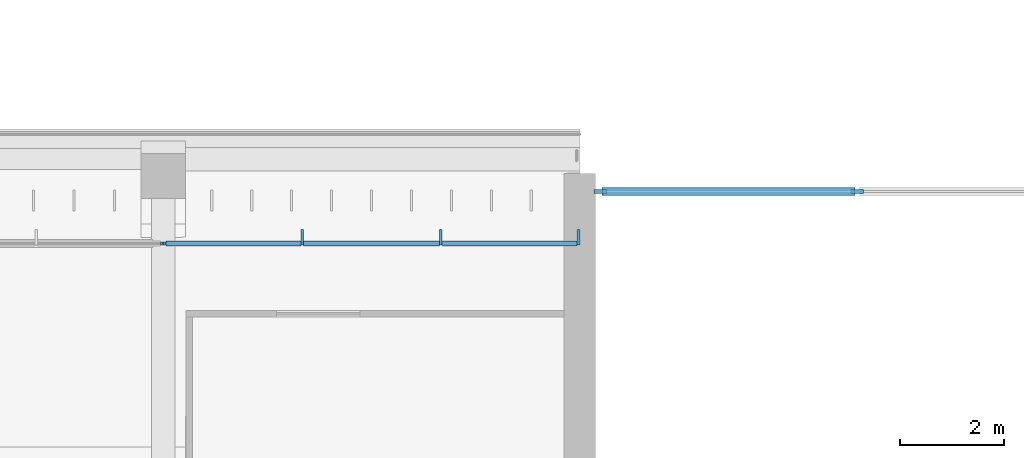
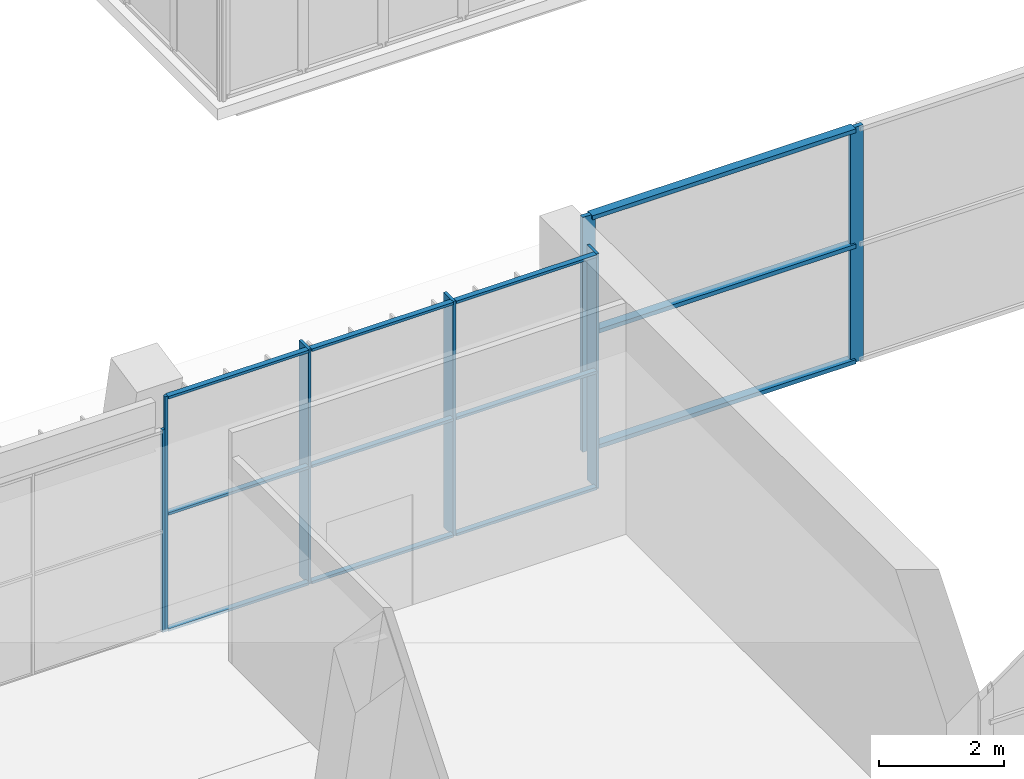
# One storey, part 11 of 92: 19 members, 3 elements without a shape of their own.
"""IFC4 building model written with IfcOpenShell, lengths in metres."""

from ifc_helpers import new_model, si_unit, direction, frame, origin, origin_2d, place, context, subcontext, project, spatial, rectangle, extrude, material, material_profile, profile_set, type_object, element, aggregate, save


model = new_model("IFC4")

# Units and contexts
model_context = context("Model", 3, precision=1e-05, world=origin(), true_north=direction((0.0, 1.0)))
body_context = subcontext(model_context, "Body", "Model", "MODEL_VIEW")
ifc_project = project(units=[si_unit("LENGTHUNIT", "METRE"), si_unit("AREAUNIT", "SQUARE_METRE"), si_unit("VOLUMEUNIT", "CUBIC_METRE"), si_unit("PLANEANGLEUNIT", "RADIAN"), si_unit("MASSUNIT", "GRAM", prefix="KILO")], contexts=[model_context])

# Site, building, storey
site_placement = place(None, origin())
site = spatial("IfcSite", under=ifc_project, at=site_placement, CompositionType="ELEMENT")
building_placement = place(site_placement, origin())
building = spatial("IfcBuilding", under=site, at=building_placement, Name="Lantern Court Media Centre", CompositionType="ELEMENT")
storey_placement = place(building_placement, frame((0.0, 0.0, 4.800048828125)))
storey = spatial("IfcBuildingStorey", under=building, at=storey_placement, Name="L01", CompositionType="ELEMENT", Elevation=4.800048828125)

# Curtain wall, members
ifc_material_1 = material(Name="Curtain wall bay 2400")
curtain_wall_type_1 = type_object("IfcCurtainWallType", Name="Curtain wall bay 2400", PredefinedType="NOTDEFINED", material=ifc_material_1)
curtain_wall_1_placement = place(storey_placement, origin())
curtain_wall_1 = element("IfcCurtainWall", 1, at=curtain_wall_1_placement, inside=storey, type_object=curtain_wall_type_1, Name="Curtain wall S inner L01", PredefinedType="NOTDEFINED")
ifc_material_2 = material(Name="Anodised aluminium", Category="aluminium")
ifc_material_profile_1 = material_profile(ifc_material_2, rectangle(XDim=0.300048828125, YDim=0.050048828125, at=origin_2d()), Name="AL 50x300")
ifc_profile_set_1 = profile_set([ifc_material_profile_1], Name="Anodised aluminium")
member_type_1 = type_object("IfcMemberType", Name="Curtain wall mullion 50x300", PredefinedType="MULLION", material=ifc_profile_set_1)
member_1_placement = place(storey_placement, frame((34.666748046875, 60.969970703125, 0.0), z_axis=(0.0, 0.0, 1.0), x_axis=(0.0, 1.0, 0.0)))
member_1 = element("IfcMember", 2, at=member_1_placement, type_object=member_type_1, Name="CW2 mullion 2", PredefinedType="MULLION", context=body_context, shape_type="SweptSolid", body=[
    extrude(rectangle(XDim=0.300048828125, YDim=0.050048828125, at=origin_2d()), origin(), (0.0, 0.0, 1.0), 4.579833984375),
])
member_2_placement = place(storey_placement, frame((37.333251953125, 60.969970703125, 0.0), z_axis=(0.0, 0.0, 1.0), x_axis=(0.0, 1.0, 0.0)))
member_2 = element("IfcMember", 3, at=member_2_placement, type_object=member_type_1, Name="CW2 mullion 3", PredefinedType="MULLION", context=body_context, shape_type="SweptSolid", body=[
    extrude(rectangle(XDim=0.300048828125, YDim=0.050048828125, at=origin_2d()), origin(), (0.0, 0.0, 1.0), 4.579833984375),
])
member_3_placement = place(storey_placement, frame((39.97509765625, 60.969970703125, 0.0), z_axis=(0.0, 0.0, 1.0), x_axis=(0.0, 1.0, 0.0)))
member_3 = element("IfcMember", 4, at=member_3_placement, type_object=member_type_1, Name="CW2 mullion 4", PredefinedType="MULLION", context=body_context, shape_type="SweptSolid", body=[
    extrude(rectangle(XDim=0.300048828125, YDim=0.050048828125, at=origin_2d()), origin(), (0.0, 0.0, 1.0), 4.579833984375),
])

# Curtain wall, member
curtain_wall_2_placement = place(storey_placement, origin())
curtain_wall_2 = element("IfcCurtainWall", 5, at=curtain_wall_2_placement, inside=storey, type_object=curtain_wall_type_1, Name="Curtain wall S inner L01", PredefinedType="NOTDEFINED")
ifc_material_profile_2 = material_profile(ifc_material_2, rectangle(XDim=0.06005859375, YDim=0.050048828125, at=origin_2d()), Name="AL 50x60")
ifc_profile_set_2 = profile_set([ifc_material_profile_2], Name="Anodised aluminium")
member_type_2 = type_object("IfcMemberType", Name="Curtain wall mullion 50x60", PredefinedType="MULLION", material=ifc_profile_set_2)
member_4_placement = place(storey_placement, frame((31.97509765625, 60.85009765625, 0.0), z_axis=(0.0, 0.0, 1.0), x_axis=(0.0, 1.0, 0.0)))
member_4 = element("IfcMember", 6, at=member_4_placement, type_object=member_type_2, Name="CW2 mullion 4", PredefinedType="MULLION", context=body_context, shape_type="SweptSolid", body=[
    extrude(rectangle(XDim=0.06005859375, YDim=0.050048828125, at=origin_2d()), origin(), (0.0, 0.0, 1.0), 3.949951171875),
])
aggregate(curtain_wall_2, [member_4])

# Member
member_5_placement = place(storey_placement, frame((32.02490234375, 60.85009765625, 0.0), z_axis=(0.0, 0.0, 1.0), x_axis=(0.0, 1.0, 0.0)))
member_5 = element("IfcMember", 7, at=member_5_placement, type_object=member_type_2, Name="CW2 mullion 1", PredefinedType="MULLION", context=body_context, shape_type="SweptSolid", body=[
    extrude(rectangle(XDim=0.06005859375, YDim=0.050048828125, at=origin_2d()), origin(), (0.0, 0.0, 1.0), 4.579833984375),
])

# Curtain wall, members
ifc_material_3 = material(Name="Curtain wall bay 4000")
curtain_wall_type_2 = type_object("IfcCurtainWallType", Name="Curtain wall bay 4000", PredefinedType="NOTDEFINED", material=ifc_material_3)
curtain_wall_3_placement = place(storey_placement, origin())
curtain_wall_3 = element("IfcCurtainWall", 8, at=curtain_wall_3_placement, inside=storey, type_object=curtain_wall_type_2, Name="Curtain wall S inner L01", PredefinedType="NOTDEFINED")
ifc_material_profile_3 = material_profile(ifc_material_2, rectangle(XDim=0.080078125, YDim=0.239990234375, at=origin_2d()), Name="AL 80x240")
ifc_profile_set_3 = profile_set([ifc_material_profile_3], Name="Anodised aluminium")
member_type_3 = type_object("IfcMemberType", Name="Curtain wall mullion 80x240", PredefinedType="MULLION", material=ifc_profile_set_3)
member_6_placement = place(storey_placement, frame((40.389892578125, 61.85009765625, 0.0), z_axis=(0.0, 0.0, 1.0), x_axis=(0.0, 1.0, 0.0)))
member_6 = element("IfcMember", 9, at=member_6_placement, type_object=member_type_3, Name="CW3 mullion 1", PredefinedType="MULLION", context=body_context, shape_type="SweptSolid", body=[
    extrude(rectangle(XDim=0.080078125, YDim=0.239990234375, at=origin_2d()), origin(), (0.0, 0.0, 1.0), 4.579833984375),
])
member_7_placement = place(storey_placement, frame((45.324951171875, 61.85009765625, 0.0), z_axis=(0.0, 0.0, 1.0), x_axis=(0.0, 1.0, 0.0)))
member_7 = element("IfcMember", 10, at=member_7_placement, type_object=member_type_3, Name="CW3 mullion 2", PredefinedType="MULLION", context=body_context, shape_type="SweptSolid", body=[
    extrude(rectangle(XDim=0.080078125, YDim=0.239990234375, at=origin_2d()), origin(), (0.0, 0.0, 1.0), 4.579833984375),
])

# Member
ifc_material_profile_4 = material_profile(ifc_material_2, rectangle(XDim=0.10009765625, YDim=0.050048828125, at=origin_2d()), Name="AL 50x100")
ifc_profile_set_4 = profile_set([ifc_material_profile_4], Name="Anodised aluminium")
member_type_4 = type_object("IfcMemberType", Name="Curtain wall transom 100x50", PredefinedType="USERDEFINED", material=ifc_profile_set_4)
member_8_placement = place(storey_placement, frame((32.050048828125, 60.85009765625, 0.02490234375), z_axis=(1.0, 0.0, 0.0), x_axis=(0.0, 1.0, 0.0)))
member_8 = element("IfcMember", 11, at=member_8_placement, type_object=member_type_4, Name="CW2 transom 1.1", ObjectType="TRANSOM", PredefinedType="USERDEFINED", context=body_context, shape_type="SweptSolid", body=[
    extrude(rectangle(XDim=0.10009765625, YDim=0.050048828125, at=origin_2d()), origin(), (0.0, 0.0, 1.0), 2.591552734375),
])

member_9_placement = place(storey_placement, frame((32.050048828125, 60.85009765625, 2.2900390625), z_axis=(1.0, 0.0, 0.0), x_axis=(0.0, 1.0, 0.0)))
member_9 = element("IfcMember", 12, at=member_9_placement, type_object=member_type_4, Name="CW2 transom 1.2", ObjectType="TRANSOM", PredefinedType="USERDEFINED", context=body_context, shape_type="SweptSolid", body=[
    extrude(rectangle(XDim=0.10009765625, YDim=0.050048828125, at=origin_2d()), origin(), (0.0, 0.0, 1.0), 2.591552734375),
])

member_10_placement = place(storey_placement, frame((32.050048828125, 60.85009765625, 4.554931640625), z_axis=(1.0, 0.0, 0.0), x_axis=(0.0, 1.0, 0.0)))
member_10 = element("IfcMember", 13, at=member_10_placement, type_object=member_type_4, Name="CW2 transom 1.3", ObjectType="TRANSOM", PredefinedType="USERDEFINED", context=body_context, shape_type="SweptSolid", body=[
    extrude(rectangle(XDim=0.10009765625, YDim=0.050048828125, at=origin_2d()), origin(), (0.0, 0.0, 1.0), 2.591552734375),
])

member_11_placement = place(storey_placement, frame((34.691650390625, 60.85009765625, 0.02490234375), z_axis=(1.0, 0.0, 0.0), x_axis=(0.0, 1.0, 0.0)))
member_11 = element("IfcMember", 14, at=member_11_placement, type_object=member_type_4, Name="CW2 transom 2.1", ObjectType="TRANSOM", PredefinedType="USERDEFINED", context=body_context, shape_type="SweptSolid", body=[
    extrude(rectangle(XDim=0.10009765625, YDim=0.050048828125, at=origin_2d()), origin(), (0.0, 0.0, 1.0), 2.61669921875),
])

member_12_placement = place(storey_placement, frame((34.691650390625, 60.85009765625, 2.2900390625), z_axis=(1.0, 0.0, 0.0), x_axis=(0.0, 1.0, 0.0)))
member_12 = element("IfcMember", 15, at=member_12_placement, type_object=member_type_4, Name="CW2 transom 2.2", ObjectType="TRANSOM", PredefinedType="USERDEFINED", context=body_context, shape_type="SweptSolid", body=[
    extrude(rectangle(XDim=0.10009765625, YDim=0.050048828125, at=origin_2d()), origin(), (0.0, 0.0, 1.0), 2.61669921875),
])

member_13_placement = place(storey_placement, frame((34.691650390625, 60.85009765625, 4.554931640625), z_axis=(1.0, 0.0, 0.0), x_axis=(0.0, 1.0, 0.0)))
member_13 = element("IfcMember", 16, at=member_13_placement, type_object=member_type_4, Name="CW2 transom 2.3", ObjectType="TRANSOM", PredefinedType="USERDEFINED", context=body_context, shape_type="SweptSolid", body=[
    extrude(rectangle(XDim=0.10009765625, YDim=0.050048828125, at=origin_2d()), origin(), (0.0, 0.0, 1.0), 2.61669921875),
])

member_14_placement = place(storey_placement, frame((37.3583984375, 60.85009765625, 0.02490234375), z_axis=(1.0, 0.0, 0.0), x_axis=(0.0, 1.0, 0.0)))
member_14 = element("IfcMember", 17, at=member_14_placement, type_object=member_type_4, Name="CW2 transom 3.1", ObjectType="TRANSOM", PredefinedType="USERDEFINED", context=body_context, shape_type="SweptSolid", body=[
    extrude(rectangle(XDim=0.10009765625, YDim=0.050048828125, at=origin_2d()), origin(), (0.0, 0.0, 1.0), 2.591552734375),
])

member_15_placement = place(storey_placement, frame((37.3583984375, 60.85009765625, 2.2900390625), z_axis=(1.0, 0.0, 0.0), x_axis=(0.0, 1.0, 0.0)))
member_15 = element("IfcMember", 18, at=member_15_placement, type_object=member_type_4, Name="CW2 transom 3.2", ObjectType="TRANSOM", PredefinedType="USERDEFINED", context=body_context, shape_type="SweptSolid", body=[
    extrude(rectangle(XDim=0.10009765625, YDim=0.050048828125, at=origin_2d()), origin(), (0.0, 0.0, 1.0), 2.591552734375),
])

member_16_placement = place(storey_placement, frame((37.3583984375, 60.85009765625, 4.554931640625), z_axis=(1.0, 0.0, 0.0), x_axis=(0.0, 1.0, 0.0)))
member_16 = element("IfcMember", 19, at=member_16_placement, type_object=member_type_4, Name="CW2 transom 3.3", ObjectType="TRANSOM", PredefinedType="USERDEFINED", context=body_context, shape_type="SweptSolid", body=[
    extrude(rectangle(XDim=0.10009765625, YDim=0.050048828125, at=origin_2d()), origin(), (0.0, 0.0, 1.0), 2.591552734375),
])

aggregate(curtain_wall_1, [member_5, member_1, member_2, member_3, member_8, member_9, member_10, member_11, member_12, member_13, member_14, member_15, member_16])

ifc_material_profile_5 = material_profile(ifc_material_2, rectangle(XDim=0.159912109375, YDim=0.080078125, at=origin_2d()), Name="AL 80x160")
ifc_profile_set_5 = profile_set([ifc_material_profile_5], Name="Anodised aluminium")
member_type_5 = type_object("IfcMemberType", Name="Curtain wall transom 160x80", PredefinedType="USERDEFINED", material=ifc_profile_set_5)
member_17_placement = place(storey_placement, frame((40.429931640625, 61.85009765625, 0.0400390625), z_axis=(1.0, 0.0, 0.0), x_axis=(0.0, 1.0, 0.0)))
member_17 = element("IfcMember", 20, at=member_17_placement, type_object=member_type_5, Name="CW3 transom 1.1", ObjectType="TRANSOM", PredefinedType="USERDEFINED", context=body_context, shape_type="SweptSolid", body=[
    extrude(rectangle(XDim=0.159912109375, YDim=0.080078125, at=origin_2d()), origin(), (0.0, 0.0, 1.0), 4.85498046875),
])

member_18_placement = place(storey_placement, frame((40.429931640625, 61.85009765625, 2.2900390625), z_axis=(1.0, 0.0, 0.0), x_axis=(0.0, 1.0, 0.0)))
member_18 = element("IfcMember", 21, at=member_18_placement, type_object=member_type_5, Name="CW3 transom 1.2", ObjectType="TRANSOM", PredefinedType="USERDEFINED", context=body_context, shape_type="SweptSolid", body=[
    extrude(rectangle(XDim=0.159912109375, YDim=0.080078125, at=origin_2d()), origin(), (0.0, 0.0, 1.0), 4.85498046875),
])

member_19_placement = place(storey_placement, frame((40.429931640625, 61.85009765625, 4.5400390625), z_axis=(1.0, 0.0, 0.0), x_axis=(0.0, 1.0, 0.0)))
member_19 = element("IfcMember", 22, at=member_19_placement, type_object=member_type_5, Name="CW3 transom 1.3", ObjectType="TRANSOM", PredefinedType="USERDEFINED", context=body_context, shape_type="SweptSolid", body=[
    extrude(rectangle(XDim=0.159912109375, YDim=0.080078125, at=origin_2d()), origin(), (0.0, 0.0, 1.0), 4.85498046875),
])

aggregate(curtain_wall_3, [member_6, member_7, member_17, member_18, member_19])

save(model, "model.ifc")
